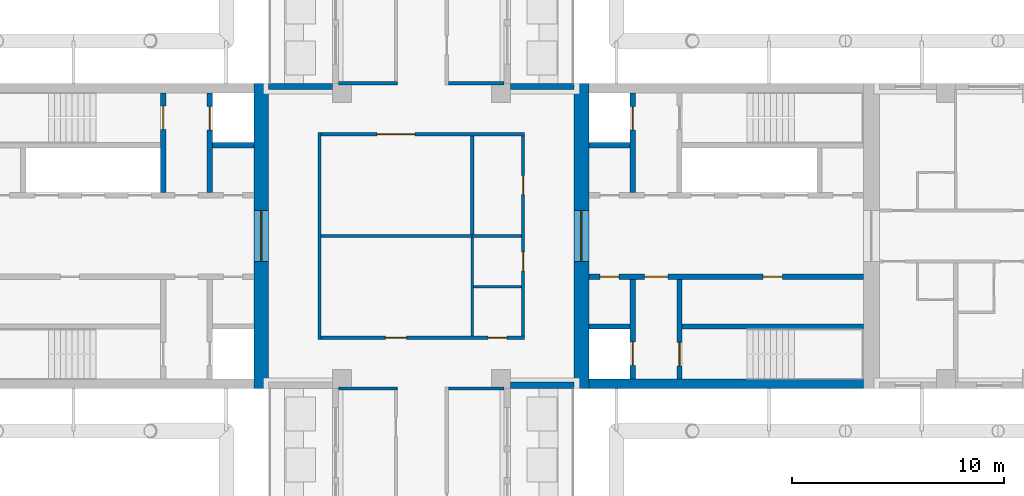
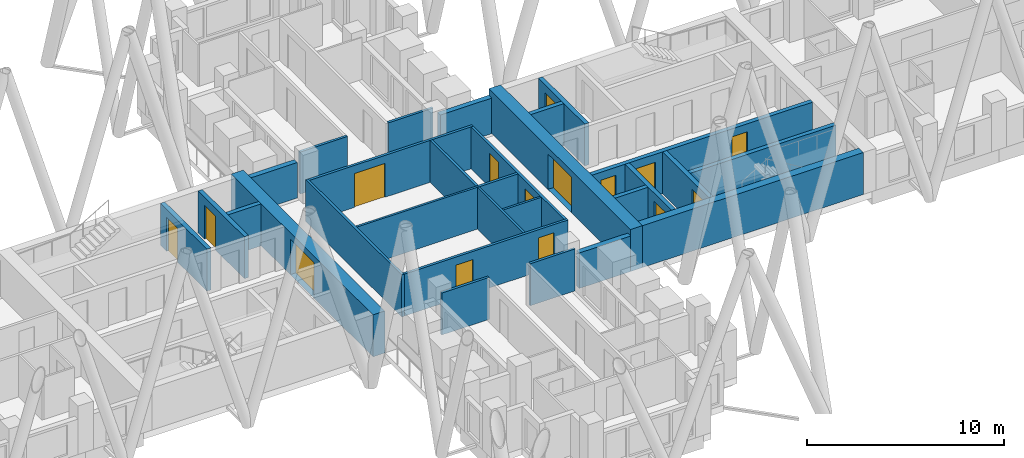
# One storey, part 6 of 12: 29 walls, 15 doors, 15 openings.
"""IFC4 building model written with IfcOpenShell, lengths in metres."""

from ifc_helpers import new_model, si_unit, direction, frame, frame_2d, origin, place, context, subcontext, project, spatial, rectangle, extrude, material, layer, layer_set, type_object, element, fill, save


model = new_model("IFC4")

# Units and contexts
model_context = context("Model", 3, precision=1e-05, world=origin(), true_north=direction((0.0, 1.0)))
body_context = subcontext(model_context, "Body", "Model", "MODEL_VIEW")
ifc_project = project(units=[si_unit("LENGTHUNIT", "METRE"), si_unit("AREAUNIT", "SQUARE_METRE"), si_unit("VOLUMEUNIT", "CUBIC_METRE"), si_unit("PLANEANGLEUNIT", "RADIAN"), si_unit("MASSUNIT", "GRAM", prefix="KILO")], contexts=[model_context])

# Site, building, storey
site_placement = place(None, origin())
site = spatial("IfcSite", under=ifc_project, at=site_placement, CompositionType="ELEMENT")
building_placement = place(site_placement, origin())
building = spatial("IfcBuilding", under=site, at=building_placement, Name="Fustian Cross Tower", CompositionType="ELEMENT")
storey_placement = place(building_placement, frame((0.0, 0.0, 129.300048828125)))
storey = spatial("IfcBuildingStorey", under=building, at=storey_placement, Name="L40", CompositionType="ELEMENT", Elevation=129.300048828125)

# Wall
ifc_material_1 = material(Name="Plasterboard on steel stud", Category="steel")
ifc_layer_1 = layer(ifc_material_1, 0.14990234375)
ifc_layer_set_1 = layer_set([ifc_layer_1], Name="Plasterboard on steel stud")
wall_type_1 = type_object("IfcWallType", Name="COMPARTMENT WALL 150 EI 60", PredefinedType="PARTITIONING", material=ifc_layer_set_1)
wall_1_placement = place(storey_placement, frame((-4.800048828125, -4.875, 0.0), z_axis=(0.0, 0.0, 1.0), x_axis=(0.0, 1.0, 0.0)))
element("IfcWall", 1, at=wall_1_placement, inside=storey, type_object=wall_type_1, Name="Partition 16", PredefinedType="PARTITIONING", context=body_context, shape_type="SweptSolid", body=[
    extrude(rectangle(XDim=9.75, YDim=0.14990234375, at=frame_2d((4.875, 0.0))), origin(), (0.0, 0.0, 1.0), 2.599853515625),
])

# Wall, openings, doors
wall_2_placement = place(storey_placement, frame((-4.72509765625, -4.800048828125, 0.0), z_axis=(0.0, 0.0, 1.0), x_axis=(1.0, 0.0, 0.0)))
wall_2 = element("IfcWall", 2, at=wall_2_placement, inside=storey, type_object=wall_type_1, Name="Partition 17", PredefinedType="PARTITIONING", context=body_context, shape_type="SweptSolid", body=[
    extrude(rectangle(XDim=9.60009765625, YDim=0.14990234375, at=frame_2d((4.800048828125, 0.0))), origin(), (0.0, 0.0, 1.0), 2.599853515625),
])
opening_1_placement = place(wall_2_placement, frame((7.875, 0.0, 0.0)))
opening_1 = element("IfcOpeningElement", 3, at=opening_1_placement, cuts=wall_2, Name="Opening D19001", PredefinedType="OPENING", context=body_context, shape_type="SweptSolid", body=[
    extrude(rectangle(XDim=0.89990234375, YDim=2.10009765625, at=frame_2d((0.449951171875, 1.050048828125))), frame((0.0, 0.0849609375, 0.0), z_axis=(0.0, -1.0, 0.0), x_axis=(1.0, 0.0, 0.0)), (0.0, 0.0, 1.0), 0.169921875),
])
opening_2_placement = place(wall_2_placement, frame((3.02490234375, 0.0, 0.0)))
opening_2 = element("IfcOpeningElement", 4, at=opening_2_placement, cuts=wall_2, Name="Opening D19004", PredefinedType="OPENING", context=body_context, shape_type="SweptSolid", body=[
    extrude(rectangle(XDim=1.0, YDim=2.10009765625, at=frame_2d((0.5, 1.050048828125))), frame((0.0, 0.0849609375, 0.0), z_axis=(0.0, -1.0, 0.0), x_axis=(1.0, 0.0, 0.0)), (0.0, 0.0, 1.0), 0.169921875),
])
ifc_material_2 = material(Name="Timber fire door set", Category="wood")
door_type_1 = type_object("IfcDoorType", Name="FIRE SWING DOOR 1000 FD30S", OperationType="SINGLE_SWING_LEFT", PredefinedType="DOOR", material=ifc_material_2)
door_1_placement = place(opening_2_placement, origin())
door_1 = element("IfcDoor", 5, at=door_1_placement, inside=storey, type_object=door_type_1, Name="Door D19004", OperationType="SINGLE_SWING_LEFT", OverallHeight=2.10009765625, OverallWidth=1.0, PredefinedType="DOOR", context=body_context, shape_type="SweptSolid", body=[
    extrude(rectangle(XDim=1.0, YDim=2.10009765625, at=frame_2d((0.5, 1.050048828125))), frame((0.0, 0.02490234375, 0.0), z_axis=(0.0, -1.0, 0.0), x_axis=(1.0, 0.0, 0.0)), (0.0, 0.0, 1.0), 0.050048828125),
])
fill(opening_2, door_1)
ifc_material_3 = material(Name="Timber fire door set", Category="wood")
door_type_2 = type_object("IfcDoorType", Name="FIRE SWING DOOR 900 FD30S", OperationType="SINGLE_SWING_LEFT", PredefinedType="DOOR", material=ifc_material_3)
door_2_placement = place(opening_1_placement, origin())
door_2 = element("IfcDoor", 6, at=door_2_placement, inside=storey, type_object=door_type_2, Name="Door D19001", OperationType="SINGLE_SWING_LEFT", OverallHeight=2.10009765625, OverallWidth=0.89990234375, PredefinedType="DOOR", context=body_context, shape_type="SweptSolid", body=[
    extrude(rectangle(XDim=0.89990234375, YDim=2.10009765625, at=frame_2d((0.449951171875, 1.050048828125))), frame((0.0, 0.02490234375, 0.0), z_axis=(0.0, -1.0, 0.0), x_axis=(1.0, 0.0, 0.0)), (0.0, 0.0, 1.0), 0.050048828125),
])
fill(opening_1, door_2)

# Wall, opening, door
wall_3_placement = place(storey_placement, frame((-4.72509765625, 4.800048828125, 0.0), z_axis=(0.0, 0.0, 1.0), x_axis=(1.0, 0.0, 0.0)))
wall_3 = element("IfcWall", 7, at=wall_3_placement, inside=storey, type_object=wall_type_1, Name="Partition 19", PredefinedType="PARTITIONING", context=body_context, shape_type="SweptSolid", body=[
    extrude(rectangle(XDim=9.60009765625, YDim=0.14990234375, at=frame_2d((4.800048828125, 0.0))), origin(), (0.0, 0.0, 1.0), 2.599853515625),
])
opening_3_placement = place(wall_3_placement, frame((2.625, 0.0, 0.0)))
opening_3 = element("IfcOpeningElement", 8, at=opening_3_placement, cuts=wall_3, Name="Opening D19005", PredefinedType="OPENING", context=body_context, shape_type="SweptSolid", body=[
    extrude(rectangle(XDim=1.800048828125, YDim=2.10009765625, at=frame_2d((0.89990234375, 1.050048828125))), frame((0.0, 0.0849609375, 0.0), z_axis=(0.0, -1.0, 0.0), x_axis=(1.0, 0.0, 0.0)), (0.0, 0.0, 1.0), 0.169921875),
])
ifc_material_4 = material(Name="Timber fire door set", Category="wood")
door_type_3 = type_object("IfcDoorType", Name="FIRE DOUBLE DOOR 1800 FD30S", OperationType="DOUBLE_DOOR_DOUBLE_SWING", PredefinedType="DOOR", material=ifc_material_4)
door_3_placement = place(opening_3_placement, origin())
door_3 = element("IfcDoor", 9, at=door_3_placement, inside=storey, type_object=door_type_3, Name="Door D19005", OperationType="DOUBLE_DOOR_DOUBLE_SWING", OverallHeight=2.10009765625, OverallWidth=1.800048828125, PredefinedType="DOOR", context=body_context, shape_type="SweptSolid", body=[
    extrude(rectangle(XDim=1.800048828125, YDim=2.10009765625, at=frame_2d((0.89990234375, 1.050048828125))), frame((0.0, 0.02490234375, 0.0), z_axis=(0.0, -1.0, 0.0), x_axis=(1.0, 0.0, 0.0)), (0.0, 0.0, 1.0), 0.050048828125),
])
fill(opening_3, door_3)

# Walls
for number, where, z_axis, x_axis, name in (
    (10, (-3.89990234375, -7.199951171875, 0.0), (0.0, 0.0, 1.0), (1.0, 0.0, 0.0), "Partition 21"),
    (11, (-3.89990234375, 7.199951171875, 0.0), (0.0, 0.0, 1.0), (1.0, 0.0, 0.0), "Partition 22"),
):
    element("IfcWall", number, at=place(storey_placement, frame(where, z_axis=z_axis, x_axis=x_axis)), inside=storey, type_object=wall_type_1, Name=name, PredefinedType="PARTITIONING", context=body_context, shape_type="SweptSolid", body=[
        extrude(rectangle(XDim=2.77490234375, YDim=0.14990234375, at=frame_2d((1.387451171875, 0.0))), origin(), (0.0, 0.0, 1.0), 2.599853515625),
    ])
for number, where, z_axis, x_axis, name in (
    (12, (1.27490234375, -7.199951171875, 0.0), (0.0, 0.0, 1.0), (1.0, 0.0, 0.0), "Partition 37"),
    (13, (1.27490234375, 7.199951171875, 0.0), (0.0, 0.0, 1.0), (1.0, 0.0, 0.0), "Partition 39"),
):
    element("IfcWall", number, at=place(storey_placement, frame(where, z_axis=z_axis, x_axis=x_axis)), inside=storey, type_object=wall_type_1, Name=name, PredefinedType="PARTITIONING", context=body_context, shape_type="SweptSolid", body=[
        extrude(rectangle(XDim=2.625, YDim=0.14990234375, at=frame_2d((1.3125, 0.0))), origin(), (0.0, 0.0, 1.0), 2.599853515625),
    ])
wall_4_placement = place(storey_placement, frame((2.39990234375, 0.074951171875, 0.0), z_axis=(0.0, 0.0, 1.0), x_axis=(0.0, 1.0, 0.0)))
element("IfcWall", 14, at=wall_4_placement, inside=storey, type_object=wall_type_1, Name="Partition 44", PredefinedType="PARTITIONING", context=body_context, shape_type="SweptSolid", body=[
    extrude(rectangle(XDim=4.650146484375, YDim=0.14990234375, at=frame_2d((2.3251953125, 0.0))), origin(), (0.0, 0.0, 1.0), 2.599853515625),
])
wall_5_placement = place(storey_placement, frame((2.39990234375, 0.0, 0.0), z_axis=(0.0, 0.0, 1.0), x_axis=(1.0, 0.0, 0.0)))
element("IfcWall", 15, at=wall_5_placement, inside=storey, type_object=wall_type_1, Name="Partition 45", PredefinedType="PARTITIONING", context=body_context, shape_type="SweptSolid", body=[
    extrude(rectangle(XDim=2.3251953125, YDim=0.14990234375, at=frame_2d((1.16259765625, 0.0))), origin(), (0.0, 0.0, 1.0), 2.599853515625),
])

# Wall, openings, doors
wall_6_placement = place(storey_placement, frame((4.800048828125, -4.72509765625, 0.0), z_axis=(0.0, 0.0, 1.0), x_axis=(0.0, 1.0, 0.0)))
wall_6 = element("IfcWall", 16, at=wall_6_placement, inside=storey, type_object=wall_type_1, Name="Partition 48", PredefinedType="PARTITIONING", context=body_context, shape_type="SweptSolid", body=[
    extrude(rectangle(XDim=9.4501953125, YDim=0.14990234375, at=frame_2d((4.72509765625, 0.0))), origin(), (0.0, 0.0, 1.0), 2.599853515625),
])
opening_4_placement = place(wall_6_placement, frame((3.074951171875, 0.0, 0.0)))
opening_4 = element("IfcOpeningElement", 17, at=opening_4_placement, cuts=wall_6, Name="Opening D19002", PredefinedType="OPENING", context=body_context, shape_type="SweptSolid", body=[
    extrude(rectangle(XDim=0.89990234375, YDim=2.10009765625, at=frame_2d((0.449951171875, 1.050048828125))), frame((0.0, 0.0849609375, 0.0), z_axis=(0.0, -1.0, 0.0), x_axis=(1.0, 0.0, 0.0)), (0.0, 0.0, 1.0), 0.169921875),
])
opening_5_placement = place(wall_6_placement, frame((6.675048828125, 0.0, 0.0)))
opening_5 = element("IfcOpeningElement", 18, at=opening_5_placement, cuts=wall_6, Name="Opening D19003", PredefinedType="OPENING", context=body_context, shape_type="SweptSolid", body=[
    extrude(rectangle(XDim=0.89990234375, YDim=2.10009765625, at=frame_2d((0.449951171875, 1.050048828125))), frame((0.0, 0.0849609375, 0.0), z_axis=(0.0, -1.0, 0.0), x_axis=(1.0, 0.0, 0.0)), (0.0, 0.0, 1.0), 0.169921875),
])
door_4_placement = place(opening_4_placement, origin())
door_4 = element("IfcDoor", 19, at=door_4_placement, inside=storey, type_object=door_type_2, Name="Door D19002", OperationType="SINGLE_SWING_LEFT", OverallHeight=2.10009765625, OverallWidth=0.89990234375, PredefinedType="DOOR", context=body_context, shape_type="SweptSolid", body=[
    extrude(rectangle(XDim=0.89990234375, YDim=2.10009765625, at=frame_2d((0.449951171875, 1.050048828125))), frame((0.0, 0.02490234375, 0.0), z_axis=(0.0, -1.0, 0.0), x_axis=(1.0, 0.0, 0.0)), (0.0, 0.0, 1.0), 0.050048828125),
])
fill(opening_4, door_4)
door_5_placement = place(opening_5_placement, origin())
door_5 = element("IfcDoor", 20, at=door_5_placement, inside=storey, type_object=door_type_2, Name="Door D19003", OperationType="SINGLE_SWING_LEFT", OverallHeight=2.10009765625, OverallWidth=0.89990234375, PredefinedType="DOOR", context=body_context, shape_type="SweptSolid", body=[
    extrude(rectangle(XDim=0.89990234375, YDim=2.10009765625, at=frame_2d((0.449951171875, 1.050048828125))), frame((0.0, 0.02490234375, 0.0), z_axis=(0.0, -1.0, 0.0), x_axis=(1.0, 0.0, 0.0)), (0.0, 0.0, 1.0), 0.050048828125),
])
fill(opening_5, door_5)

# Wall, opening, door
ifc_material_5 = material(Name="Concrete C60/75", Category="concrete")
ifc_layer_2 = layer(ifc_material_5, 0.699951171875)
ifc_layer_set_2 = layer_set([ifc_layer_2], Name="Concrete C60/75")
wall_type_2 = type_object("IfcWallType", Name="CORE END WALL 700 C60/75", PredefinedType="SHEAR", material=ifc_layer_set_2)
wall_7_placement = place(storey_placement, frame((7.550048828125, -7.199951171875, 0.0), z_axis=(0.0, 0.0, 1.0), x_axis=(0.0, 1.0, 0.0)))
wall_7 = element("IfcWall", 21, at=wall_7_placement, inside=storey, type_object=wall_type_2, Name="Core end wall", PredefinedType="SHEAR", context=body_context, shape_type="SweptSolid", body=[
    extrude(rectangle(XDim=14.39990234375, YDim=0.699951171875, at=frame_2d((7.199951171875, 0.0))), origin(), (0.0, 0.0, 1.0), 2.599853515625),
])
opening_6_placement = place(wall_7_placement, frame((6.0, 0.0, 0.0)))
opening_6 = element("IfcOpeningElement", 22, at=opening_6_placement, cuts=wall_7, Name="Opening CD-17-12", PredefinedType="OPENING", context=body_context, shape_type="SweptSolid", body=[
    extrude(rectangle(XDim=2.39990234375, YDim=2.199951171875, at=frame_2d((1.199951171875, 1.10009765625))), frame((0.0, 0.35986328125, 0.0), z_axis=(0.0, -1.0, 0.0), x_axis=(1.0, 0.0, 0.0)), (0.0, 0.0, 1.0), 0.719970703125),
])
ifc_material_6 = material(Name="Steel", Category="steel")
door_type_4 = type_object("IfcDoorType", Name="FIRE DOOR FD30S DOUBLE 2400X2200", OperationType="DOUBLE_DOOR_DOUBLE_SWING", PredefinedType="DOOR", material=ifc_material_6)
door_6_placement = place(opening_6_placement, origin())
door_6 = element("IfcDoor", 23, at=door_6_placement, inside=storey, type_object=door_type_4, Name="Core door CD-17-12", OperationType="DOUBLE_DOOR_DOUBLE_SWING", OverallHeight=2.199951171875, OverallWidth=2.39990234375, PredefinedType="DOOR", context=body_context, shape_type="SweptSolid", body=[
    extrude(rectangle(XDim=2.39990234375, YDim=2.199951171875, at=frame_2d((1.199951171875, 1.10009765625))), frame((0.0, 0.02490234375, 0.0), z_axis=(0.0, -1.0, 0.0), x_axis=(1.0, 0.0, 0.0)), (0.0, 0.0, 1.0), 0.050048828125),
])
fill(opening_6, door_6)

wall_8_placement = place(storey_placement, frame((-7.550048828125, -7.199951171875, 0.0), z_axis=(0.0, 0.0, 1.0), x_axis=(0.0, 1.0, 0.0)))
wall_8 = element("IfcWall", 24, at=wall_8_placement, inside=storey, type_object=wall_type_2, Name="Core end wall", PredefinedType="SHEAR", context=body_context, shape_type="SweptSolid", body=[
    extrude(rectangle(XDim=14.39990234375, YDim=0.699951171875, at=frame_2d((7.199951171875, 0.0))), origin(), (0.0, 0.0, 1.0), 2.599853515625),
])
opening_7_placement = place(wall_8_placement, frame((6.0, 0.0, 0.0)))
opening_7 = element("IfcOpeningElement", 25, at=opening_7_placement, cuts=wall_8, Name="Opening CD-17-27", PredefinedType="OPENING", context=body_context, shape_type="SweptSolid", body=[
    extrude(rectangle(XDim=2.39990234375, YDim=2.199951171875, at=frame_2d((1.199951171875, 1.10009765625))), frame((0.0, 0.35986328125, 0.0), z_axis=(0.0, -1.0, 0.0), x_axis=(1.0, 0.0, 0.0)), (0.0, 0.0, 1.0), 0.719970703125),
])
door_7_placement = place(opening_7_placement, origin())
door_7 = element("IfcDoor", 26, at=door_7_placement, inside=storey, type_object=door_type_4, Name="Core door CD-17-27", OperationType="DOUBLE_DOOR_DOUBLE_SWING", OverallHeight=2.199951171875, OverallWidth=2.39990234375, PredefinedType="DOOR", context=body_context, shape_type="SweptSolid", body=[
    extrude(rectangle(XDim=2.39990234375, YDim=2.199951171875, at=frame_2d((1.199951171875, 1.10009765625))), frame((0.0, 0.02490234375, 0.0), z_axis=(0.0, -1.0, 0.0), x_axis=(1.0, 0.0, 0.0)), (0.0, 0.0, 1.0), 0.050048828125),
])
fill(opening_7, door_7)

# Wall
ifc_material_7 = material(Name="Concrete C60/75", Category="concrete")
ifc_layer_3 = layer(ifc_material_7, 0.449951171875)
ifc_layer_set_3 = layer_set([ifc_layer_3], Name="Concrete C60/75")
wall_type_3 = type_object("IfcWallType", Name="CORE FACADE WALL 450 C60/75", PredefinedType="SHEAR", material=ifc_layer_set_3)
wall_9_placement = place(storey_placement, frame((7.89990234375, -6.97509765625, 0.0), z_axis=(0.0, 0.0, 1.0), x_axis=(1.0, 0.0, 0.0)))
element("IfcWall", 27, at=wall_9_placement, inside=storey, type_object=wall_type_3, Name="Core facade wall", PredefinedType="SHEAR", context=body_context, shape_type="SweptSolid", body=[
    extrude(rectangle(XDim=12.9501953125, YDim=0.449951171875, at=frame_2d((6.47509765625, 0.0))), origin(), (0.0, 0.0, 1.0), 2.599853515625),
])

# Wall, openings, doors
ifc_material_8 = material(Name="Concrete C50/60", Category="concrete")
ifc_layer_4 = layer(ifc_material_8, 0.25)
ifc_layer_set_4 = layer_set([ifc_layer_4], Name="Concrete C50/60")
wall_type_4 = type_object("IfcWallType", Name="CORE LOBBY WALL 250 C50/60", PredefinedType="SHEAR", material=ifc_layer_set_4)
wall_10_placement = place(storey_placement, frame((7.89990234375, -1.925048828125, 0.0), z_axis=(0.0, 0.0, 1.0), x_axis=(1.0, 0.0, 0.0)))
wall_10 = element("IfcWall", 28, at=wall_10_placement, inside=storey, type_object=wall_type_4, Name="Core lobby wall", PredefinedType="SHEAR", context=body_context, shape_type="SweptSolid", body=[
    extrude(rectangle(XDim=12.9501953125, YDim=0.25, at=frame_2d((6.47509765625, 0.0))), origin(), (0.0, 0.0, 1.0), 2.599853515625),
])
opening_8_placement = place(wall_10_placement, frame((0.52490234375, 0.0, 0.0)))
opening_8 = element("IfcOpeningElement", 29, at=opening_8_placement, cuts=wall_10, Name="Opening CD-17-09", PredefinedType="OPENING", context=body_context, shape_type="SweptSolid", body=[
    extrude(rectangle(XDim=0.89990234375, YDim=2.10009765625, at=frame_2d((0.449951171875, 1.050048828125))), frame((0.0, 0.135009765625, 0.0), z_axis=(0.0, -1.0, 0.0), x_axis=(1.0, 0.0, 0.0)), (0.0, 0.0, 1.0), 0.27001953125),
])
opening_9_placement = place(wall_10_placement, frame((2.625, 0.0, 0.0)))
opening_9 = element("IfcOpeningElement", 30, at=opening_9_placement, cuts=wall_10, Name="Opening CD-17-11", PredefinedType="OPENING", context=body_context, shape_type="SweptSolid", body=[
    extrude(rectangle(XDim=1.10009765625, YDim=2.10009765625, at=frame_2d((0.550048828125, 1.050048828125))), frame((0.0, 0.135009765625, 0.0), z_axis=(0.0, -1.0, 0.0), x_axis=(1.0, 0.0, 0.0)), (0.0, 0.0, 1.0), 0.27001953125),
])
opening_10_placement = place(wall_10_placement, frame((8.22509765625, 0.0, 0.0)))
opening_10 = element("IfcOpeningElement", 31, at=opening_10_placement, cuts=wall_10, Name="Opening CD-17-15", PredefinedType="OPENING", context=body_context, shape_type="SweptSolid", body=[
    extrude(rectangle(XDim=0.89990234375, YDim=2.10009765625, at=frame_2d((0.449951171875, 1.050048828125))), frame((0.0, 0.135009765625, 0.0), z_axis=(0.0, -1.0, 0.0), x_axis=(1.0, 0.0, 0.0)), (0.0, 0.0, 1.0), 0.27001953125),
])
ifc_material_9 = material(Name="Steel", Category="steel")
door_type_5 = type_object("IfcDoorType", Name="FIRE DOOR FD30S 1100X2100", OperationType="SINGLE_SWING_LEFT", PredefinedType="DOOR", material=ifc_material_9)
door_8_placement = place(opening_9_placement, frame((1.10009765625, 0.0, 0.0), z_axis=(0.0, 0.0, 1.0), x_axis=(-1.0, 0.0, 0.0)))
door_8 = element("IfcDoor", 32, at=door_8_placement, inside=storey, type_object=door_type_5, Name="Core door CD-17-11", OperationType="SINGLE_SWING_RIGHT", OverallHeight=2.10009765625, OverallWidth=1.10009765625, PredefinedType="DOOR", context=body_context, shape_type="SweptSolid", body=[
    extrude(rectangle(XDim=1.10009765625, YDim=2.10009765625, at=frame_2d((0.550048828125, 1.050048828125))), frame((0.0, 0.02490234375, 0.0), z_axis=(0.0, -1.0, 0.0), x_axis=(1.0, 0.0, 0.0)), (0.0, 0.0, 1.0), 0.050048828125),
])
fill(opening_9, door_8)
ifc_material_10 = material(Name="Steel", Category="steel")
door_type_6 = type_object("IfcDoorType", Name="FIRE DOOR FD30S 900X2100", OperationType="SINGLE_SWING_LEFT", PredefinedType="DOOR", material=ifc_material_10)
door_9_placement = place(opening_8_placement, frame((0.89990234375, 0.0, 0.0), z_axis=(0.0, 0.0, 1.0), x_axis=(-1.0, 0.0, 0.0)))
door_9 = element("IfcDoor", 33, at=door_9_placement, inside=storey, type_object=door_type_6, Name="Core door CD-17-09", OperationType="SINGLE_SWING_RIGHT", OverallHeight=2.10009765625, OverallWidth=0.89990234375, PredefinedType="DOOR", context=body_context, shape_type="SweptSolid", body=[
    extrude(rectangle(XDim=0.89990234375, YDim=2.10009765625, at=frame_2d((0.449951171875, 1.050048828125))), frame((0.0, 0.02490234375, 0.0), z_axis=(0.0, -1.0, 0.0), x_axis=(1.0, 0.0, 0.0)), (0.0, 0.0, 1.0), 0.050048828125),
])
fill(opening_8, door_9)
door_10_placement = place(opening_10_placement, frame((0.89990234375, 0.0, 0.0), z_axis=(0.0, 0.0, 1.0), x_axis=(-1.0, 0.0, 0.0)))
door_10 = element("IfcDoor", 34, at=door_10_placement, inside=storey, type_object=door_type_6, Name="Core door CD-17-15", OperationType="SINGLE_SWING_LEFT", OverallHeight=2.10009765625, OverallWidth=0.89990234375, PredefinedType="DOOR", context=body_context, shape_type="SweptSolid", body=[
    extrude(rectangle(XDim=0.89990234375, YDim=2.10009765625, at=frame_2d((0.449951171875, 1.050048828125))), frame((0.0, 0.02490234375, 0.0), z_axis=(0.0, -1.0, 0.0), x_axis=(1.0, 0.0, 0.0)), (0.0, 0.0, 1.0), 0.050048828125),
])
fill(opening_10, door_10)

# Wall
ifc_material_11 = material(Name="Concrete C50/60", Category="concrete")
ifc_layer_5 = layer(ifc_material_11, 0.25)
ifc_layer_set_5 = layer_set([ifc_layer_5], Name="Concrete C50/60")
wall_type_5 = type_object("IfcWallType", Name="CORE SHAFT WALL 250 C50/60", PredefinedType="SHEAR", material=ifc_layer_set_5)
wall_11_placement = place(storey_placement, frame((7.89990234375, 4.27490234375, 0.0), z_axis=(0.0, 0.0, 1.0), x_axis=(1.0, 0.0, 0.0)))
element("IfcWall", 35, at=wall_11_placement, inside=storey, type_object=wall_type_5, Name="Core shaft wall", PredefinedType="SHEAR", context=body_context, shape_type="SweptSolid", body=[
    extrude(rectangle(XDim=1.9501953125, YDim=0.25, at=frame_2d((0.97509765625, 0.0))), origin(), (0.0, 0.0, 1.0), 2.599853515625),
])

# Wall, opening, door
wall_12_placement = place(storey_placement, frame((9.97509765625, 2.050048828125, 0.0), z_axis=(0.0, 0.0, 1.0), x_axis=(0.0, 1.0, 0.0)))
wall_12 = element("IfcWall", 36, at=wall_12_placement, inside=storey, type_object=wall_type_5, Name="Core shaft wall", PredefinedType="SHEAR", context=body_context, shape_type="SweptSolid", body=[
    extrude(rectangle(XDim=4.699951171875, YDim=0.25, at=frame_2d((2.35009765625, 0.0))), origin(), (0.0, 0.0, 1.0), 2.599853515625),
])
opening_11_placement = place(wall_12_placement, frame((2.949951171875, 0.0, 0.0)))
opening_11 = element("IfcOpeningElement", 37, at=opening_11_placement, cuts=wall_12, Name="Opening LD", PredefinedType="OPENING", context=body_context, shape_type="SweptSolid", body=[
    extrude(rectangle(XDim=1.10009765625, YDim=2.10009765625, at=frame_2d((0.550048828125, 1.050048828125))), frame((0.0, 0.135009765625, 0.0), z_axis=(0.0, -1.0, 0.0), x_axis=(1.0, 0.0, 0.0)), (0.0, 0.0, 1.0), 0.27001953125),
])
ifc_material_12 = material(Name="Stainless steel", Category="steel")
door_type_7 = type_object("IfcDoorType", Name="LIFT LANDING DOOR 1100X2100", OperationType="SLIDING_TO_LEFT", PredefinedType="DOOR", material=ifc_material_12)
door_11_placement = place(opening_11_placement, origin())
door_11 = element("IfcDoor", 38, at=door_11_placement, inside=storey, type_object=door_type_7, Name="Landing door FL1", OperationType="SLIDING_TO_LEFT", OverallHeight=2.10009765625, OverallWidth=1.10009765625, PredefinedType="DOOR", context=body_context, shape_type="SweptSolid", body=[
    extrude(rectangle(XDim=1.10009765625, YDim=2.10009765625, at=frame_2d((0.550048828125, 1.050048828125))), frame((0.0, 0.02490234375, 0.0), z_axis=(0.0, -1.0, 0.0), x_axis=(1.0, 0.0, 0.0)), (0.0, 0.0, 1.0), 0.050048828125),
])
fill(opening_11, door_11)

# Walls
wall_13_placement = place(storey_placement, frame((7.89990234375, -4.27490234375, 0.0), z_axis=(0.0, 0.0, 1.0), x_axis=(1.0, 0.0, 0.0)))
element("IfcWall", 39, at=wall_13_placement, inside=storey, type_object=wall_type_5, Name="Core shaft wall", PredefinedType="SHEAR", context=body_context, shape_type="SweptSolid", body=[
    extrude(rectangle(XDim=1.9501953125, YDim=0.25, at=frame_2d((0.97509765625, 0.0))), origin(), (0.0, 0.0, 1.0), 2.599853515625),
])
wall_14_placement = place(storey_placement, frame((12.300048828125, -4.27490234375, 0.0), z_axis=(0.0, 0.0, 1.0), x_axis=(1.0, 0.0, 0.0)))
element("IfcWall", 40, at=wall_14_placement, inside=storey, type_object=wall_type_5, Name="Core shaft wall", PredefinedType="SHEAR", context=body_context, shape_type="SweptSolid", body=[
    extrude(rectangle(XDim=8.550048828125, YDim=0.25, at=frame_2d((4.27490234375, 0.0))), origin(), (0.0, 0.0, 1.0), 2.599853515625),
])

# Wall, opening, door
wall_15_placement = place(storey_placement, frame((9.97509765625, -2.050048828125, 0.0), z_axis=(0.0, 0.0, 1.0), x_axis=(0.0, -1.0, 0.0)))
wall_15 = element("IfcWall", 41, at=wall_15_placement, inside=storey, type_object=wall_type_5, Name="Core shaft wall", PredefinedType="SHEAR", context=body_context, shape_type="SweptSolid", body=[
    extrude(rectangle(XDim=4.699951171875, YDim=0.25, at=frame_2d((2.35009765625, 0.0))), origin(), (0.0, 0.0, 1.0), 2.599853515625),
])
opening_12_placement = place(wall_15_placement, frame((2.949951171875, 0.0, 0.0)))
opening_12 = element("IfcOpeningElement", 42, at=opening_12_placement, cuts=wall_15, Name="Opening LD", PredefinedType="OPENING", context=body_context, shape_type="SweptSolid", body=[
    extrude(rectangle(XDim=1.10009765625, YDim=2.10009765625, at=frame_2d((0.550048828125, 1.050048828125))), frame((0.0, 0.135009765625, 0.0), z_axis=(0.0, -1.0, 0.0), x_axis=(1.0, 0.0, 0.0)), (0.0, 0.0, 1.0), 0.27001953125),
])
door_12_placement = place(opening_12_placement, origin())
door_12 = element("IfcDoor", 43, at=door_12_placement, inside=storey, type_object=door_type_7, Name="Landing door SV1", OperationType="SLIDING_TO_LEFT", OverallHeight=2.10009765625, OverallWidth=1.10009765625, PredefinedType="DOOR", context=body_context, shape_type="SweptSolid", body=[
    extrude(rectangle(XDim=1.10009765625, YDim=2.10009765625, at=frame_2d((0.550048828125, 1.050048828125))), frame((0.0, 0.02490234375, 0.0), z_axis=(0.0, -1.0, 0.0), x_axis=(1.0, 0.0, 0.0)), (0.0, 0.0, 1.0), 0.050048828125),
])
fill(opening_12, door_12)

wall_16_placement = place(storey_placement, frame((12.175048828125, -2.050048828125, 0.0), z_axis=(0.0, 0.0, 1.0), x_axis=(0.0, -1.0, 0.0)))
wall_16 = element("IfcWall", 44, at=wall_16_placement, inside=storey, type_object=wall_type_5, Name="Core shaft wall", PredefinedType="SHEAR", context=body_context, shape_type="SweptSolid", body=[
    extrude(rectangle(XDim=4.699951171875, YDim=0.25, at=frame_2d((2.35009765625, 0.0))), origin(), (0.0, 0.0, 1.0), 2.599853515625),
])
opening_13_placement = place(wall_16_placement, frame((2.97509765625, 0.0, 0.0)))
opening_13 = element("IfcOpeningElement", 45, at=opening_13_placement, cuts=wall_16, Name="Opening CD-17-07", PredefinedType="OPENING", context=body_context, shape_type="SweptSolid", body=[
    extrude(rectangle(XDim=1.10009765625, YDim=2.10009765625, at=frame_2d((0.550048828125, 1.050048828125))), frame((0.0, 0.135009765625, 0.0), z_axis=(0.0, -1.0, 0.0), x_axis=(1.0, 0.0, 0.0)), (0.0, 0.0, 1.0), 0.27001953125),
])
ifc_material_13 = material(Name="Steel", Category="steel")
door_type_8 = type_object("IfcDoorType", Name="FIRE DOOR FD60S 1100X2100", OperationType="SINGLE_SWING_LEFT", PredefinedType="DOOR", material=ifc_material_13)
door_13_placement = place(opening_13_placement, origin())
door_13 = element("IfcDoor", 46, at=door_13_placement, inside=storey, type_object=door_type_8, Name="Core door CD-17-07", OperationType="SINGLE_SWING_LEFT", OverallHeight=2.10009765625, OverallWidth=1.10009765625, PredefinedType="DOOR", context=body_context, shape_type="SweptSolid", body=[
    extrude(rectangle(XDim=1.10009765625, YDim=2.10009765625, at=frame_2d((0.550048828125, 1.050048828125))), frame((0.0, 0.02490234375, 0.0), z_axis=(0.0, -1.0, 0.0), x_axis=(1.0, 0.0, 0.0)), (0.0, 0.0, 1.0), 0.050048828125),
])
fill(opening_13, door_13)

# Wall
wall_17_placement = place(storey_placement, frame((-7.89990234375, 4.27490234375, 0.0), z_axis=(0.0, 0.0, 1.0), x_axis=(-1.0, 0.0, 0.0)))
element("IfcWall", 47, at=wall_17_placement, inside=storey, type_object=wall_type_5, Name="Core shaft wall", PredefinedType="SHEAR", context=body_context, shape_type="SweptSolid", body=[
    extrude(rectangle(XDim=1.9501953125, YDim=0.25, at=frame_2d((0.97509765625, 0.0))), origin(), (0.0, 0.0, 1.0), 2.599853515625),
])

# Wall, opening, door
wall_18_placement = place(storey_placement, frame((-9.97509765625, 2.050048828125, 0.0), z_axis=(0.0, 0.0, 1.0), x_axis=(0.0, 1.0, 0.0)))
wall_18 = element("IfcWall", 48, at=wall_18_placement, inside=storey, type_object=wall_type_5, Name="Core shaft wall", PredefinedType="SHEAR", context=body_context, shape_type="SweptSolid", body=[
    extrude(rectangle(XDim=4.699951171875, YDim=0.25, at=frame_2d((2.35009765625, 0.0))), origin(), (0.0, 0.0, 1.0), 2.599853515625),
])
opening_14_placement = place(wall_18_placement, frame((2.949951171875, 0.0, 0.0)))
opening_14 = element("IfcOpeningElement", 49, at=opening_14_placement, cuts=wall_18, Name="Opening LD", PredefinedType="OPENING", context=body_context, shape_type="SweptSolid", body=[
    extrude(rectangle(XDim=1.10009765625, YDim=2.10009765625, at=frame_2d((0.550048828125, 1.050048828125))), frame((0.0, 0.135009765625, 0.0), z_axis=(0.0, -1.0, 0.0), x_axis=(1.0, 0.0, 0.0)), (0.0, 0.0, 1.0), 0.27001953125),
])
door_14_placement = place(opening_14_placement, origin())
door_14 = element("IfcDoor", 50, at=door_14_placement, inside=storey, type_object=door_type_7, Name="Landing door FL1W", OperationType="SLIDING_TO_LEFT", OverallHeight=2.10009765625, OverallWidth=1.10009765625, PredefinedType="DOOR", context=body_context, shape_type="SweptSolid", body=[
    extrude(rectangle(XDim=1.10009765625, YDim=2.10009765625, at=frame_2d((0.550048828125, 1.050048828125))), frame((0.0, 0.02490234375, 0.0), z_axis=(0.0, -1.0, 0.0), x_axis=(1.0, 0.0, 0.0)), (0.0, 0.0, 1.0), 0.050048828125),
])
fill(opening_14, door_14)

wall_19_placement = place(storey_placement, frame((-12.175048828125, 2.050048828125, 0.0), z_axis=(0.0, 0.0, 1.0), x_axis=(0.0, 1.0, 0.0)))
wall_19 = element("IfcWall", 51, at=wall_19_placement, inside=storey, type_object=wall_type_5, Name="Core shaft wall", PredefinedType="SHEAR", context=body_context, shape_type="SweptSolid", body=[
    extrude(rectangle(XDim=4.699951171875, YDim=0.25, at=frame_2d((2.35009765625, 0.0))), origin(), (0.0, 0.0, 1.0), 2.599853515625),
])
opening_15_placement = place(wall_19_placement, frame((2.97509765625, 0.0, 0.0)))
opening_15 = element("IfcOpeningElement", 52, at=opening_15_placement, cuts=wall_19, Name="Opening CD-17-21", PredefinedType="OPENING", context=body_context, shape_type="SweptSolid", body=[
    extrude(rectangle(XDim=1.10009765625, YDim=2.10009765625, at=frame_2d((0.550048828125, 1.050048828125))), frame((0.0, 0.135009765625, 0.0), z_axis=(0.0, -1.0, 0.0), x_axis=(1.0, 0.0, 0.0)), (0.0, 0.0, 1.0), 0.27001953125),
])
door_15_placement = place(opening_15_placement, origin())
door_15 = element("IfcDoor", 53, at=door_15_placement, inside=storey, type_object=door_type_8, Name="Core door CD-17-21", OperationType="SINGLE_SWING_LEFT", OverallHeight=2.10009765625, OverallWidth=1.10009765625, PredefinedType="DOOR", context=body_context, shape_type="SweptSolid", body=[
    extrude(rectangle(XDim=1.10009765625, YDim=2.10009765625, at=frame_2d((0.550048828125, 1.050048828125))), frame((0.0, 0.02490234375, 0.0), z_axis=(0.0, -1.0, 0.0), x_axis=(1.0, 0.0, 0.0)), (0.0, 0.0, 1.0), 0.050048828125),
])
fill(opening_15, door_15)

# Walls
ifc_material_14 = material(Name="Plasterboard on steel stud", Category="steel")
ifc_layer_6 = layer(ifc_material_14, 0.125)
ifc_layer_set_6 = layer_set([ifc_layer_6], Name="Plasterboard on steel stud")
wall_type_6 = type_object("IfcWallType", Name="WET WALL 125 STUD", PredefinedType="PARTITIONING", material=ifc_layer_set_6)
wall_20_placement = place(storey_placement, frame((-4.72509765625, 0.0, 0.0), z_axis=(0.0, 0.0, 1.0), x_axis=(1.0, 0.0, 0.0)))
element("IfcWall", 54, at=wall_20_placement, inside=storey, type_object=wall_type_6, Name="Partition 18", PredefinedType="PARTITIONING", context=body_context, shape_type="SweptSolid", body=[
    extrude(rectangle(XDim=7.125, YDim=0.125, at=frame_2d((3.5625, 0.0))), origin(), (0.0, 0.0, 1.0), 2.599853515625),
])
wall_21_placement = place(storey_placement, frame((2.39990234375, -4.72509765625, 0.0), z_axis=(0.0, 0.0, 1.0), x_axis=(0.0, 1.0, 0.0)))
element("IfcWall", 55, at=wall_21_placement, inside=storey, type_object=wall_type_6, Name="Partition 42", PredefinedType="PARTITIONING", context=body_context, shape_type="SweptSolid", body=[
    extrude(rectangle(XDim=4.650146484375, YDim=0.125, at=frame_2d((2.3251953125, 0.0))), origin(), (0.0, 0.0, 1.0), 2.599853515625),
])
wall_22_placement = place(storey_placement, frame((2.46240234375, -2.39990234375, 0.0), z_axis=(0.0, 0.0, 1.0), x_axis=(1.0, 0.0, 0.0)))
element("IfcWall", 56, at=wall_22_placement, inside=storey, type_object=wall_type_6, Name="Partition 43", PredefinedType="PARTITIONING", context=body_context, shape_type="SweptSolid", body=[
    extrude(rectangle(XDim=2.2626953125, YDim=0.125, at=frame_2d((1.13134765625, 0.0))), origin(), (0.0, 0.0, 1.0), 2.599853515625),
])
ifc_material_15 = material(Name="Dark aluminium cladding on insulated backing wall", Category="aluminium")
ifc_layer_7 = layer(ifc_material_15, 0.300048828125)
ifc_layer_set_7 = layer_set([ifc_layer_7], Name="Dark aluminium cladding on insulated backing wall")
wall_type_7 = type_object("IfcWallType", Name="XW1 EXTERNAL WALL 300", PredefinedType="SOLIDWALL", material=ifc_layer_set_7)
for number, where, z_axis, x_axis, name in (
    (57, (7.199951171875, 7.050048828125, 0.0), (0.0, 0.0, 1.0), (-1.0, 0.0, 0.0), "External wall"),
    (58, (-4.199951171875, 7.050048828125, 0.0), (0.0, 0.0, 1.0), (-1.0, 0.0, 0.0), "External wall"),
    (59, (4.199951171875, -7.050048828125, 0.0), (0.0, 0.0, 1.0), (1.0, 0.0, 0.0), "External wall"),
):
    element("IfcWall", number, at=place(storey_placement, frame(where, z_axis=z_axis, x_axis=x_axis)), inside=storey, type_object=wall_type_7, Name=name, PredefinedType="SOLIDWALL", context=body_context, shape_type="SweptSolid", body=[
        extrude(rectangle(XDim=3.0, YDim=0.300048828125, at=frame_2d((1.5, 0.0))), origin(), (0.0, 0.0, 1.0), 2.199951171875),
    ])

save(model, "model.ifc")
